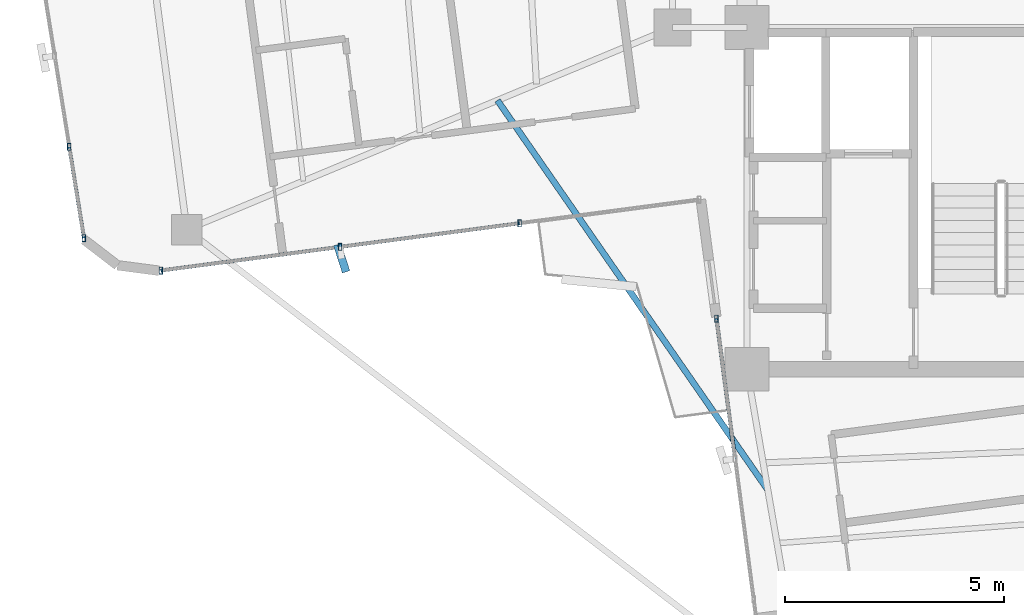
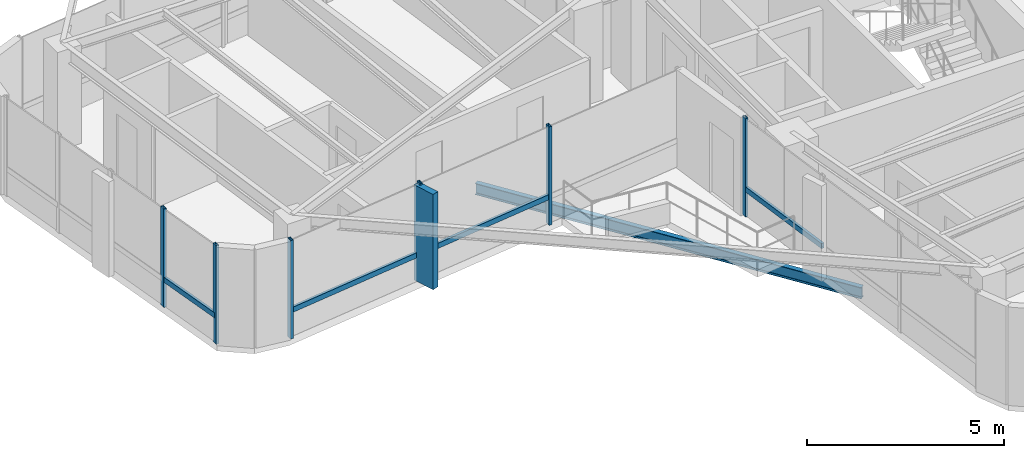
# One storey, part 2 of 23: 11 members, 1 beam, 3 elements without a shape of their own.
"""IFC4 building model written with IfcOpenShell, lengths in metres."""

from ifc_helpers import new_model, si_unit, direction, frame, origin, origin_2d, place, context, subcontext, project, spatial, rectangle, hollow_rectangle, i_section, extrude, source, transform, mapped, material, material_profile, profile_set, type_object, element, aggregate, save


model = new_model("IFC4")

# Units and contexts
model_context = context("Model", 3, precision=1e-05, world=origin(), true_north=direction((0.0, 1.0)))
body_context = subcontext(model_context, "Body", "Model", "MODEL_VIEW")
ifc_project = project(units=[si_unit("LENGTHUNIT", "METRE"), si_unit("AREAUNIT", "SQUARE_METRE"), si_unit("VOLUMEUNIT", "CUBIC_METRE"), si_unit("PLANEANGLEUNIT", "RADIAN"), si_unit("MASSUNIT", "GRAM", prefix="KILO")], contexts=[model_context])

# Site, building, storey
site_placement = place(None, origin())
site = spatial("IfcSite", under=ifc_project, at=site_placement, CompositionType="ELEMENT")
building_placement = place(site_placement, origin())
building = spatial("IfcBuilding", under=site, at=building_placement, Name="Sahyath Konkavel Grand Hotel", CompositionType="ELEMENT")
storey_placement = place(building_placement, frame((0.0, 0.0, 226.60009765625)))
storey = spatial("IfcBuildingStorey", under=building, at=storey_placement, Name="L63", CompositionType="ELEMENT", Elevation=226.60009765625)

# Curtain wall, members
ifc_material_1 = material(Name="Anodised Bronze Aluminium & Low-E Glazing", Category="aluminium")
curtain_wall_type = type_object("IfcCurtainWallType", Name="CW-ZONE4", PredefinedType="NOTDEFINED", material=ifc_material_1)
curtain_wall_1_placement = place(storey_placement, origin())
curtain_wall_1 = element("IfcCurtainWall", 1, at=curtain_wall_1_placement, inside=storey, type_object=curtain_wall_type, Name="L63 Unitised Curtain Wall F20", PredefinedType="NOTDEFINED")
ifc_material_2 = material(Name="Anodised Bronze Aluminium", Category="aluminium")
ifc_material_profile_1 = material_profile(ifc_material_2, hollow_rectangle(XDim=0.080078125, YDim=0.159912109375, WallThickness=0.006103515625, at=origin_2d()), Name="RHS 160x80x6")
ifc_profile_set_1 = profile_set([ifc_material_profile_1], Name="Anodised Bronze Aluminium")
member_type_1 = type_object("IfcMemberType", Name="CW-MUL-160", PredefinedType="MULLION", material=ifc_profile_set_1)
shared_shape_1 = source(origin(), body_context, "Body", "SweptSolid", [
    extrude(hollow_rectangle(XDim=0.080078125, YDim=0.159912109375, WallThickness=0.006103515625, at=origin_2d()), origin(), (0.0, 0.0, 1.0), 3.0498046875),
])
member_1_placement = place(storey_placement, frame((-19.270263671875, -5.126953125, 0.0), z_axis=(0.0, 0.0, 1.0), x_axis=(1.0, 0.0, 0.0)))
member_1 = element("IfcMember", 2, at=member_1_placement, type_object=member_type_1, Name="L63 Curtain Wall Mullion F20-3", PredefinedType="MULLION", context=body_context, shape_type="MappedRepresentation", body=[
    mapped(shared_shape_1, transform((0.0, 0.0, 0.0), scale=1.0)),
])
member_2_placement = place(storey_placement, frame((-18.934814453125, -7.2060546875, 0.0), z_axis=(0.0, 0.0, 1.0), x_axis=(1.0, 0.0, 0.0)))
member_2 = element("IfcMember", 3, at=member_2_placement, type_object=member_type_1, Name="L63 Curtain Wall Mullion F20-4", PredefinedType="MULLION", context=body_context, shape_type="MappedRepresentation", body=[
    mapped(shared_shape_1, transform((0.0, 0.0, 0.0), scale=1.0)),
])

curtain_wall_2_placement = place(storey_placement, origin())
curtain_wall_2 = element("IfcCurtainWall", 4, at=curtain_wall_2_placement, inside=storey, type_object=curtain_wall_type, Name="L63 Unitised Curtain Wall F23", PredefinedType="NOTDEFINED")
member_3_placement = place(storey_placement, frame((-17.179443359375, -7.948486328125, 0.0), z_axis=(0.0, 0.0, 1.0), x_axis=(1.0, 0.0, 0.0)))
member_3 = element("IfcMember", 5, at=member_3_placement, type_object=member_type_1, Name="L63 Curtain Wall Mullion F23-0", PredefinedType="MULLION", context=body_context, shape_type="MappedRepresentation", body=[
    mapped(shared_shape_1, transform((0.0, 0.0, 0.0), scale=1.0)),
])
member_4_placement = place(storey_placement, frame((-13.084228515625, -7.4091796875, 0.0), z_axis=(0.0, 0.0, 1.0), x_axis=(1.0, 0.0, 0.0)))
member_4 = element("IfcMember", 6, at=member_4_placement, type_object=member_type_1, Name="L63 Curtain Wall Mullion F23-1", PredefinedType="MULLION", context=body_context, shape_type="MappedRepresentation", body=[
    mapped(shared_shape_1, transform((0.0, 0.0, 0.0), scale=1.0)),
])
member_5_placement = place(storey_placement, frame((-8.989013671875, -6.8701171875, 0.0), z_axis=(0.0, 0.0, 1.0), x_axis=(1.0, 0.0, 0.0)))
member_5 = element("IfcMember", 7, at=member_5_placement, type_object=member_type_1, Name="L63 Curtain Wall Mullion F23-2", PredefinedType="MULLION", context=body_context, shape_type="MappedRepresentation", body=[
    mapped(shared_shape_1, transform((0.0, 0.0, 0.0), scale=1.0)),
])

# Curtain wall, member
curtain_wall_3_placement = place(storey_placement, origin())
curtain_wall_3 = element("IfcCurtainWall", 8, at=curtain_wall_3_placement, inside=storey, type_object=curtain_wall_type, Name="L63 Unitised Curtain Wall F24", PredefinedType="NOTDEFINED")
member_6_placement = place(storey_placement, frame((-4.496337890625, -9.042236328125, 0.0), z_axis=(0.0, 0.0, 1.0), x_axis=(1.0, 0.0, 0.0)))
member_6 = element("IfcMember", 9, at=member_6_placement, type_object=member_type_1, Name="L63 Curtain Wall Mullion F24-0", PredefinedType="MULLION", context=body_context, shape_type="MappedRepresentation", body=[
    mapped(shared_shape_1, transform((0.0, 0.0, 0.0), scale=1.0)),
])

# Member
ifc_material_3 = material(Name="Warm Buff Sandstone Cladding on Concrete C50/60", Category="masonry")
ifc_material_profile_2 = material_profile(ifc_material_3, rectangle(XDim=0.179931640625, YDim=0.64990234375, at=origin_2d()), Name="FIN 180x650")
ifc_profile_set_2 = profile_set([ifc_material_profile_2], Name="Warm Buff Sandstone Cladding on Concrete C50/60")
member_type_2 = type_object("IfcMemberType", Name="FIN-SANDSTONE-650", PredefinedType="MULLION", material=ifc_profile_set_2)
shared_shape_2 = source(origin(), body_context, "Body", "SweptSolid", [
    extrude(rectangle(XDim=0.179931640625, YDim=0.64990234375, at=origin_2d()), origin(), (0.0, 0.0, 1.0), 2.9501953125),
])
member_7_placement = place(storey_placement, frame((-13.05029296875, -7.6669921875, 0.0498046875), z_axis=(0.0, 0.0, 1.0), x_axis=(0.951808747363, 0.306692204733, 0.0)))
member_7 = element("IfcMember", 10, at=member_7_placement, type_object=member_type_2, Name="L63 Sandstone Vertical Solar Fin FIN F23-1", PredefinedType="MULLION", context=body_context, shape_type="MappedRepresentation", body=[
    mapped(shared_shape_2, transform((0.0, 0.0, 0.0), scale=1.0)),
])

ifc_material_profile_3 = material_profile(ifc_material_2, hollow_rectangle(XDim=0.080078125, YDim=0.159912109375, WallThickness=0.006103515625, at=origin_2d()), Name="RHS 160x80x6")
ifc_profile_set_3 = profile_set([ifc_material_profile_3], Name="Anodised Bronze Aluminium")
member_type_3 = type_object("IfcMemberType", Name="CW-TRN-160", PredefinedType="USERDEFINED", material=ifc_profile_set_3)
shared_shape_3 = source(origin(), body_context, "Body", "SweptSolid", [
    extrude(hollow_rectangle(XDim=0.080078125, YDim=0.159912109375, WallThickness=0.006103515625, at=origin_2d()), origin(), (0.0, 0.0, 1.0), 3.230712890625),
])
member_8_placement = place(storey_placement, frame((-4.496337890625, -9.042236328125, 0.849853515625), z_axis=(0.130505336662, -0.991447606837, 0.0), x_axis=(0.991447606837, 0.130505336662, 0.0)))
member_8 = element("IfcMember", 11, at=member_8_placement, type_object=member_type_3, Name="L63 Curtain Wall Transom F24-0-spandrel", ObjectType="TRANSOM", PredefinedType="USERDEFINED", context=body_context, shape_type="MappedRepresentation", body=[
    mapped(shared_shape_3, transform((0.0, 0.0, 0.0), scale=1.0)),
])

aggregate(curtain_wall_3, [member_6, member_8])

shared_shape_4 = source(origin(), body_context, "Body", "SweptSolid", [
    extrude(hollow_rectangle(XDim=0.080078125, YDim=0.159912109375, WallThickness=0.006103515625, at=origin_2d()), origin(), (0.0, 0.0, 1.0), 2.10595703125),
])
member_9_placement = place(storey_placement, frame((-19.270263671875, -5.126953125, 0.849853515625), z_axis=(0.159283465229, -0.987232889294, 0.0), x_axis=(0.987232889294, 0.159283465229, 0.0)))
member_9 = element("IfcMember", 12, at=member_9_placement, type_object=member_type_3, Name="L63 Curtain Wall Transom F20-3-spandrel", ObjectType="TRANSOM", PredefinedType="USERDEFINED", context=body_context, shape_type="MappedRepresentation", body=[
    mapped(shared_shape_4, transform((0.0, 0.0, 0.0), scale=1.0)),
])

aggregate(curtain_wall_1, [member_1, member_2, member_9])

shared_shape_5 = source(origin(), body_context, "Body", "SweptSolid", [
    extrude(hollow_rectangle(XDim=0.080078125, YDim=0.159912109375, WallThickness=0.006103515625, at=origin_2d()), origin(), (0.0, 0.0, 1.0), 4.130615234375),
])
member_10_placement = place(storey_placement, frame((-17.179443359375, -7.948486328125, 0.849853515625), z_axis=(0.991439804701, 0.130564595719, 0.0), x_axis=(-0.130564595719, 0.991439804701, 0.0)))
member_10 = element("IfcMember", 13, at=member_10_placement, type_object=member_type_3, Name="L63 Curtain Wall Transom F23-0-spandrel", ObjectType="TRANSOM", PredefinedType="USERDEFINED", context=body_context, shape_type="MappedRepresentation", body=[
    mapped(shared_shape_5, transform((0.0, 0.0, 0.0), scale=1.0)),
])

member_11_placement = place(storey_placement, frame((-13.084228515625, -7.4091796875, 0.849853515625), z_axis=(0.991447454115, 0.130506496881, 0.0), x_axis=(-0.130506496881, 0.991447454115, 0.0)))
member_11 = element("IfcMember", 14, at=member_11_placement, type_object=member_type_3, Name="L63 Curtain Wall Transom F23-1-spandrel", ObjectType="TRANSOM", PredefinedType="USERDEFINED", context=body_context, shape_type="MappedRepresentation", body=[
    mapped(shared_shape_5, transform((0.0, 0.0, 0.0), scale=1.0)),
])

aggregate(curtain_wall_2, [member_3, member_4, member_7, member_5, member_10, member_11])

# Beam
ifc_material_4 = material(Name="Steel E350", Category="steel")
ifc_material_profile_4 = material_profile(ifc_material_4, i_section(OverallWidth=0.139892578125, OverallDepth=0.35009765625, WebThickness=0.008056640625, FlangeThickness=0.01416015625, FilletRadius=0.013916015625, at=origin_2d()), Name="ISMB 350")
ifc_profile_set_4 = profile_set([ifc_material_profile_4], Name="Steel E350")
beam_type = type_object("IfcBeamType", Name="BM-BALC-CANT", PredefinedType="BEAM", material=ifc_profile_set_4)
shared_shape_6 = source(origin(), body_context, "Body", "SweptSolid", [
    extrude(i_section(OverallWidth=0.139892578125, OverallDepth=0.35009765625, WebThickness=0.008056640625, FlangeThickness=0.01416015625, FilletRadius=0.013916015625, at=origin_2d()), origin(), (0.0, 0.0, 1.0), 10.822265625),
])
beam_placement = place(storey_placement, frame((-9.49560546875, -4.062744140625, -0.4150390625), z_axis=(0.570091803466, -0.821580997602, 0.0), x_axis=(0.821580997602, 0.570091803466, 0.0)))
element("IfcBeam", 15, at=beam_placement, inside=storey, type_object=beam_type, Name="L63 Balcony Cantilever Support Beam SW", PredefinedType="BEAM", context=body_context, shape_type="MappedRepresentation", body=[
    mapped(shared_shape_6, transform((0.0, 0.0, 0.0), scale=1.0)),
])

save(model, "model.ifc")
